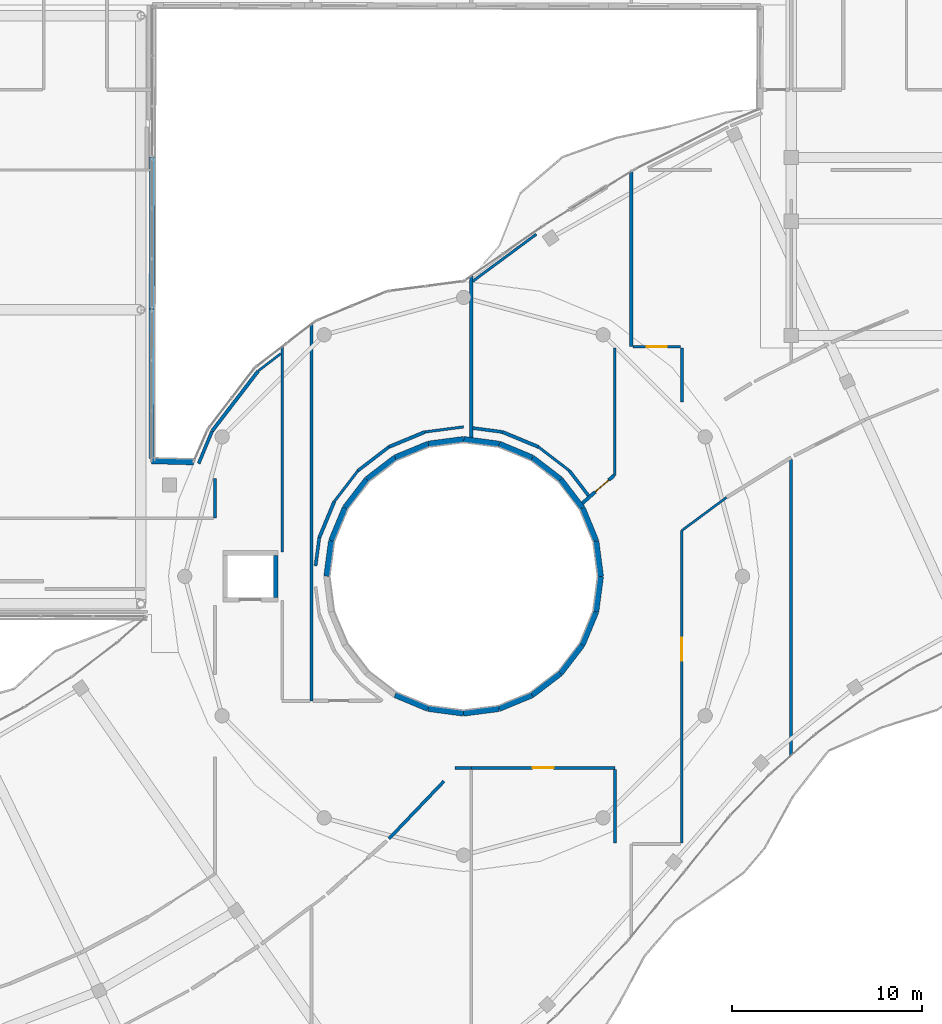
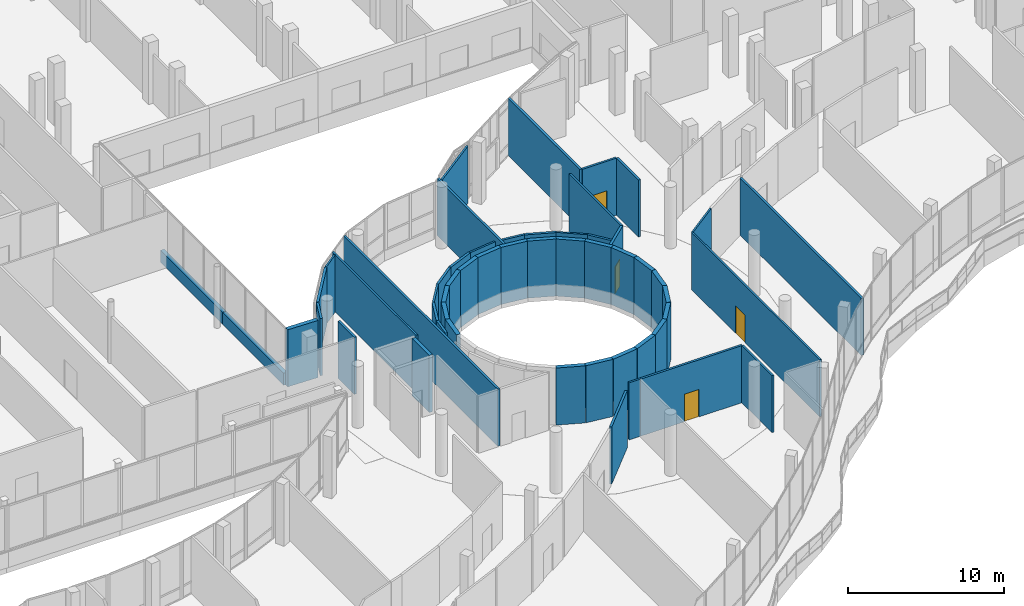
# One storey, part 132 of 155: 54 walls, 4 doors, 4 openings.
"""IFC4 building model written with IfcOpenShell, lengths in metres."""

from ifc_helpers import new_model, si_unit, direction, frame, frame_2d, origin, place, context, subcontext, project, spatial, rectangle, extrude, material, layer, layer_set, type_object, element, fill, save


model = new_model("IFC4")

# Units and contexts
model_context = context("Model", 3, precision=1e-05, world=origin(), true_north=direction((0.0, 1.0)))
body_context = subcontext(model_context, "Body", "Model", "MODEL_VIEW")
ifc_project = project(units=[si_unit("LENGTHUNIT", "METRE"), si_unit("AREAUNIT", "SQUARE_METRE"), si_unit("VOLUMEUNIT", "CUBIC_METRE"), si_unit("PLANEANGLEUNIT", "RADIAN"), si_unit("MASSUNIT", "GRAM", prefix="KILO")], contexts=[model_context])

# Site, building, storey
site_placement = place(None, origin())
site = spatial("IfcSite", under=ifc_project, at=site_placement, CompositionType="ELEMENT")
building_placement = place(site_placement, origin())
building = spatial("IfcBuilding", under=site, at=building_placement, Name="Selatvlak General Hospital", CompositionType="ELEMENT")
storey_placement = place(building_placement, frame((0.0, 0.0, 10.199951171875)))
storey = spatial("IfcBuildingStorey", under=building, at=storey_placement, Name="L02", CompositionType="ELEMENT", Elevation=10.199951171875)

# Walls
ifc_material_1 = material(Name="Precast concrete C40/50 - white fair-faced", Category="concrete")
ifc_layer_1 = layer(ifc_material_1, 0.300048828125, Name="Precast concrete C40/50 - white fair-faced", Category="concrete")
ifc_layer_set_1 = layer_set([ifc_layer_1], Name="Precast concrete C40/50 - white fair-faced")
wall_type_1 = type_object("IfcWallType", Name="WALL-EW-01", PredefinedType="SOLIDWALL", material=ifc_layer_set_1)
wall_1_placement = place(storey_placement, frame((81.60009765625, 60.06005859375, 0.0), z_axis=(0.0, 0.0, 1.0), x_axis=(0.999631579517, -0.027142314411, 0.0)))
element("IfcWall", 1, at=wall_1_placement, inside=storey, type_object=wall_type_1, Name="L02 exterior wall 0324", PredefinedType="SOLIDWALL", context=body_context, shape_type="SweptSolid", body=[
    extrude(rectangle(XDim=2.212646484375, YDim=0.300048828125, at=frame_2d((1.1064453125, 0.0))), origin(), (0.0, 0.0, 1.0), 4.4599609375),
])
wall_2_placement = place(storey_placement, frame((101.60595703125, 60.22998046875, 0.0), z_axis=(0.0, 0.0, 1.0), x_axis=(-0.923330302292, 0.384006709406, 0.0)))
element("IfcWall", 2, at=wall_2_placement, inside=storey, type_object=wall_type_1, Name="L02 exterior wall 0334", PredefinedType="SOLIDWALL", context=body_context, shape_type="SweptSolid", body=[
    extrude(rectangle(XDim=1.8798828125, YDim=0.300048828125, at=frame_2d((0.93994140625, 0.0))), origin(), (0.0, 0.0, 1.0), 4.4599609375),
])
wall_3_placement = place(storey_placement, frame((99.8701171875, 60.951904296875, 0.0), z_axis=(0.0, 0.0, 1.0), x_axis=(-0.991311701137, 0.131533688416, 0.0)))
element("IfcWall", 3, at=wall_3_placement, inside=storey, type_object=wall_type_1, Name="L02 exterior wall 0335", PredefinedType="SOLIDWALL", context=body_context, shape_type="SweptSolid", body=[
    extrude(rectangle(XDim=1.87841796875, YDim=0.300048828125, at=frame_2d((0.939208984375, 0.0))), origin(), (0.0, 0.0, 1.0), 4.4599609375),
])
wall_4_placement = place(storey_placement, frame((98.008056640625, 61.198974609375, 0.0), z_axis=(0.0, 0.0, 1.0), x_axis=(-0.991606206969, -0.129294741965, 0.0)))
element("IfcWall", 4, at=wall_4_placement, inside=storey, type_object=wall_type_1, Name="L02 exterior wall 0336", PredefinedType="SOLIDWALL", context=body_context, shape_type="SweptSolid", body=[
    extrude(rectangle(XDim=1.87890625, YDim=0.300048828125, at=frame_2d((0.939453125, 0.0))), origin(), (0.0, 0.0, 1.0), 4.4599609375),
])
wall_5_placement = place(storey_placement, frame((96.14501953125, 60.9560546875, 0.0), z_axis=(0.0, 0.0, 1.0), x_axis=(-0.924236528401, -0.381820428435, 0.0)))
element("IfcWall", 5, at=wall_5_placement, inside=storey, type_object=wall_type_1, Name="L02 exterior wall 0337", PredefinedType="SOLIDWALL", context=body_context, shape_type="SweptSolid", body=[
    extrude(rectangle(XDim=1.880615234375, YDim=0.300048828125, at=frame_2d((0.9404296875, 0.0))), origin(), (0.0, 0.0, 1.0), 4.4599609375),
])
wall_6_placement = place(storey_placement, frame((94.406982421875, 60.238037109375, 0.0), z_axis=(0.0, 0.0, 1.0), x_axis=(-0.79405161161, -0.607850341861, 0.0)))
element("IfcWall", 6, at=wall_6_placement, inside=storey, type_object=wall_type_1, Name="L02 exterior wall 0338", PredefinedType="SOLIDWALL", context=body_context, shape_type="SweptSolid", body=[
    extrude(rectangle(XDim=1.87890625, YDim=0.300048828125, at=frame_2d((0.939453125, 0.0))), origin(), (0.0, 0.0, 1.0), 4.4599609375),
])
wall_7_placement = place(storey_placement, frame((92.9150390625, 59.095947265625, 0.0), z_axis=(0.0, 0.0, 1.0), x_axis=(-0.609333966613, -0.792913688324, 0.0)))
element("IfcWall", 7, at=wall_7_placement, inside=storey, type_object=wall_type_1, Name="L02 exterior wall 0339", PredefinedType="SOLIDWALL", context=body_context, shape_type="SweptSolid", body=[
    extrude(rectangle(XDim=1.879150390625, YDim=0.300048828125, at=frame_2d((0.939453125, 0.0))), origin(), (0.0, 0.0, 1.0), 4.4599609375),
])
wall_8_placement = place(storey_placement, frame((91.77001953125, 57.60595703125, 0.0), z_axis=(0.0, 0.0, 1.0), x_axis=(-0.384006709406, -0.923330302292, 0.0)))
element("IfcWall", 8, at=wall_8_placement, inside=storey, type_object=wall_type_1, Name="L02 exterior wall 0340", PredefinedType="SOLIDWALL", context=body_context, shape_type="SweptSolid", body=[
    extrude(rectangle(XDim=1.8798828125, YDim=0.300048828125, at=frame_2d((0.93994140625, 0.0))), origin(), (0.0, 0.0, 1.0), 4.4599609375),
])
wall_9_placement = place(storey_placement, frame((91.048095703125, 55.8701171875, 0.0), z_axis=(0.0, 0.0, 1.0), x_axis=(-0.131533688416, -0.991311701137, 0.0)))
element("IfcWall", 9, at=wall_9_placement, inside=storey, type_object=wall_type_1, Name="L02 exterior wall 0341", PredefinedType="SOLIDWALL", context=body_context, shape_type="SweptSolid", body=[
    extrude(rectangle(XDim=1.87841796875, YDim=0.300048828125, at=frame_2d((0.939208984375, 0.0))), origin(), (0.0, 0.0, 1.0), 4.4599609375),
])
wall_10_placement = place(storey_placement, frame((94.39404296875, 47.77001953125, 0.0), z_axis=(0.0, 0.0, 1.0), x_axis=(0.923330302292, -0.384006709406, 0.0)))
element("IfcWall", 10, at=wall_10_placement, inside=storey, type_object=wall_type_1, Name="L02 exterior wall 0346", PredefinedType="SOLIDWALL", context=body_context, shape_type="SweptSolid", body=[
    extrude(rectangle(XDim=1.8798828125, YDim=0.300048828125, at=frame_2d((0.93994140625, 0.0))), origin(), (0.0, 0.0, 1.0), 4.4599609375),
])
wall_11_placement = place(storey_placement, frame((96.1298828125, 47.048095703125, 0.0), z_axis=(0.0, 0.0, 1.0), x_axis=(0.991311701137, -0.131533688416, 0.0)))
element("IfcWall", 11, at=wall_11_placement, inside=storey, type_object=wall_type_1, Name="L02 exterior wall 0347", PredefinedType="SOLIDWALL", context=body_context, shape_type="SweptSolid", body=[
    extrude(rectangle(XDim=1.87841796875, YDim=0.300048828125, at=frame_2d((0.939208984375, 0.0))), origin(), (0.0, 0.0, 1.0), 4.4599609375),
])
wall_12_placement = place(storey_placement, frame((97.991943359375, 46.801025390625, 0.0), z_axis=(0.0, 0.0, 1.0), x_axis=(0.991606206969, 0.129294741965, 0.0)))
element("IfcWall", 12, at=wall_12_placement, inside=storey, type_object=wall_type_1, Name="L02 exterior wall 0348", PredefinedType="SOLIDWALL", context=body_context, shape_type="SweptSolid", body=[
    extrude(rectangle(XDim=1.87890625, YDim=0.300048828125, at=frame_2d((0.939453125, 0.0))), origin(), (0.0, 0.0, 1.0), 4.4599609375),
])
wall_13_placement = place(storey_placement, frame((99.85498046875, 47.0439453125, 0.0), z_axis=(0.0, 0.0, 1.0), x_axis=(0.924236528401, 0.381820428435, 0.0)))
element("IfcWall", 13, at=wall_13_placement, inside=storey, type_object=wall_type_1, Name="L02 exterior wall 0349", PredefinedType="SOLIDWALL", context=body_context, shape_type="SweptSolid", body=[
    extrude(rectangle(XDim=1.880615234375, YDim=0.300048828125, at=frame_2d((0.9404296875, 0.0))), origin(), (0.0, 0.0, 1.0), 4.4599609375),
])
wall_14_placement = place(storey_placement, frame((101.593017578125, 47.761962890625, 0.0), z_axis=(0.0, 0.0, 1.0), x_axis=(0.79405161161, 0.607850341861, 0.0)))
element("IfcWall", 14, at=wall_14_placement, inside=storey, type_object=wall_type_1, Name="L02 exterior wall 0350", PredefinedType="SOLIDWALL", context=body_context, shape_type="SweptSolid", body=[
    extrude(rectangle(XDim=1.87890625, YDim=0.300048828125, at=frame_2d((0.939453125, 0.0))), origin(), (0.0, 0.0, 1.0), 4.4599609375),
])
wall_15_placement = place(storey_placement, frame((103.0849609375, 48.904052734375, 0.0), z_axis=(0.0, 0.0, 1.0), x_axis=(0.609333966613, 0.792913688324, 0.0)))
element("IfcWall", 15, at=wall_15_placement, inside=storey, type_object=wall_type_1, Name="L02 exterior wall 0351", PredefinedType="SOLIDWALL", context=body_context, shape_type="SweptSolid", body=[
    extrude(rectangle(XDim=1.879150390625, YDim=0.300048828125, at=frame_2d((0.939453125, 0.0))), origin(), (0.0, 0.0, 1.0), 4.4599609375),
])
wall_16_placement = place(storey_placement, frame((104.22998046875, 50.39404296875, 0.0), z_axis=(0.0, 0.0, 1.0), x_axis=(0.384006709406, 0.923330302292, 0.0)))
element("IfcWall", 16, at=wall_16_placement, inside=storey, type_object=wall_type_1, Name="L02 exterior wall 0352", PredefinedType="SOLIDWALL", context=body_context, shape_type="SweptSolid", body=[
    extrude(rectangle(XDim=1.8798828125, YDim=0.300048828125, at=frame_2d((0.93994140625, 0.0))), origin(), (0.0, 0.0, 1.0), 4.4599609375),
])
wall_17_placement = place(storey_placement, frame((104.951904296875, 52.1298828125, 0.0), z_axis=(0.0, 0.0, 1.0), x_axis=(0.131533688416, 0.991311701137, 0.0)))
element("IfcWall", 17, at=wall_17_placement, inside=storey, type_object=wall_type_1, Name="L02 exterior wall 0353", PredefinedType="SOLIDWALL", context=body_context, shape_type="SweptSolid", body=[
    extrude(rectangle(XDim=1.87841796875, YDim=0.300048828125, at=frame_2d((0.939208984375, 0.0))), origin(), (0.0, 0.0, 1.0), 4.4599609375),
])
wall_18_placement = place(storey_placement, frame((105.198974609375, 53.991943359375, 0.0), z_axis=(0.0, 0.0, 1.0), x_axis=(-0.129294741965, 0.991606206969, 0.0)))
element("IfcWall", 18, at=wall_18_placement, inside=storey, type_object=wall_type_1, Name="L02 exterior wall 0354", PredefinedType="SOLIDWALL", context=body_context, shape_type="SweptSolid", body=[
    extrude(rectangle(XDim=1.87890625, YDim=0.300048828125, at=frame_2d((0.939453125, 0.0))), origin(), (0.0, 0.0, 1.0), 4.4599609375),
])
wall_19_placement = place(storey_placement, frame((104.9560546875, 55.85498046875, 0.0), z_axis=(0.0, 0.0, 1.0), x_axis=(-0.381820428435, 0.924236528401, 0.0)))
element("IfcWall", 19, at=wall_19_placement, inside=storey, type_object=wall_type_1, Name="L02 exterior wall 0355", PredefinedType="SOLIDWALL", context=body_context, shape_type="SweptSolid", body=[
    extrude(rectangle(XDim=1.880615234375, YDim=0.300048828125, at=frame_2d((0.9404296875, 0.0))), origin(), (0.0, 0.0, 1.0), 4.4599609375),
])
wall_20_placement = place(storey_placement, frame((104.238037109375, 57.593017578125, 0.0), z_axis=(0.0, 0.0, 1.0), x_axis=(-0.607850341861, 0.79405161161, 0.0)))
element("IfcWall", 20, at=wall_20_placement, inside=storey, type_object=wall_type_1, Name="L02 exterior wall 0356", PredefinedType="SOLIDWALL", context=body_context, shape_type="SweptSolid", body=[
    extrude(rectangle(XDim=1.87890625, YDim=0.300048828125, at=frame_2d((0.939453125, 0.0))), origin(), (0.0, 0.0, 1.0), 4.4599609375),
])
wall_21_placement = place(storey_placement, frame((103.095947265625, 59.0849609375, 0.0), z_axis=(0.0, 0.0, 1.0), x_axis=(-0.792913688324, 0.609333966613, 0.0)))
element("IfcWall", 21, at=wall_21_placement, inside=storey, type_object=wall_type_1, Name="L02 exterior wall 0357", PredefinedType="SOLIDWALL", context=body_context, shape_type="SweptSolid", body=[
    extrude(rectangle(XDim=1.879150390625, YDim=0.300048828125, at=frame_2d((0.939453125, 0.0))), origin(), (0.0, 0.0, 1.0), 4.4599609375),
])
ifc_material_2 = material(Name="Precast concrete C40/50 - white Bauhaus spandrel", Category="concrete")
ifc_layer_2 = layer(ifc_material_2, 0.280029296875, Name="Precast concrete C40/50 - white Bauhaus spandrel", Category="concrete")
ifc_layer_set_2 = layer_set([ifc_layer_2], Name="Precast concrete C40/50 - white Bauhaus spandrel")
wall_type_2 = type_object("IfcWallType", Name="WALL-EW-02", PredefinedType="SOLIDWALL", material=ifc_layer_set_2)
wall_22_placement = place(storey_placement, frame((81.639892578125, 76.01806640625, 0.0), z_axis=(0.0, 0.0, 1.0), x_axis=(-0.002479331223, -0.999996926454, 0.0)))
element("IfcWall", 22, at=wall_22_placement, inside=storey, type_object=wall_type_2, Name="L02 Bauhaus spandrel sill wall 0332", PredefinedType="SOLIDWALL", context=body_context, shape_type="SweptSolid", body=[
    extrude(rectangle(XDim=7.97607421875, YDim=0.280029296875, at=frame_2d((3.988037109375, 0.0))), origin(), (0.0, 0.0, 1.0), 0.93994140625),
])
wall_23_placement = place(storey_placement, frame((81.6201171875, 68.0380859375, 0.0), z_axis=(0.0, 0.0, 1.0), x_axis=(-0.002554110965, -0.999996738253, 0.0)))
element("IfcWall", 23, at=wall_23_placement, inside=storey, type_object=wall_type_2, Name="L02 Bauhaus spandrel sill wall 0333", PredefinedType="SOLIDWALL", context=body_context, shape_type="SweptSolid", body=[
    extrude(rectangle(XDim=7.838134765625, YDim=0.280029296875, at=frame_2d((3.9189453125, 0.0))), origin(), (0.0, 0.0, 1.0), 0.93994140625),
])
ifc_material_3 = material(Name="Acoustic gypsum stud partition")
ifc_layer_3 = layer(ifc_material_3, 0.179931640625, Name="Acoustic gypsum stud partition")
ifc_layer_set_3 = layer_set([ifc_layer_3], Name="Acoustic gypsum stud partition")
wall_type_3 = type_object("IfcWallType", Name="WALL-PT-01", PredefinedType="PARTITIONING", material=ifc_layer_set_3)
wall_24_placement = place(storey_placement, frame((87.2060546875, 64.781982421875, 0.0), z_axis=(0.0, 0.0, 1.0), x_axis=(-0.608806174349, -0.793319003979, 0.0)))
element("IfcWall", 24, at=wall_24_placement, inside=storey, type_object=wall_type_3, Name="L02 clinical partition PT-L02-1140", PredefinedType="PARTITIONING", context=body_context, shape_type="SweptSolid", body=[
    extrude(rectangle(XDim=3.966796875, YDim=0.179931640625, at=frame_2d((1.9833984375, 0.0))), origin(), (0.0, 0.0, 1.0), 4.4599609375),
])
for number, where, z_axis, x_axis, name in (
    (25, (95.968017578125, 61.5830078125, 0.0), (0.0, 0.0, 1.0), (-0.923745197655, -0.383007584532, 0.0), "L02 clinical partition PT-L02-1155"),
    (26, (91.201904296875, 57.925048828125, 0.0), (0.0, 0.0, 1.0), (-0.383007584532, -0.923745197655, 0.0), "L02 clinical partition PT-L02-1158"),
):
    element("IfcWall", number, at=place(storey_placement, frame(where, z_axis=z_axis, x_axis=x_axis)), inside=storey, type_object=wall_type_3, Name=name, PredefinedType="PARTITIONING", context=body_context, shape_type="SweptSolid", body=[
        extrude(rectangle(XDim=2.04931640625, YDim=0.179931640625, at=frame_2d((1.024658203125, 0.0))), origin(), (0.0, 0.0, 1.0), 4.4599609375),
    ])

# Wall, opening, door
wall_25_placement = place(storey_placement, frame((105.89794921875, 59.300048828125, 0.0), z_axis=(0.0, 0.0, 1.0), x_axis=(-0.751701560076, -0.65950342272, 0.0)))
wall_25 = element("IfcWall", 27, at=wall_25_placement, inside=storey, type_object=wall_type_3, Name="L02 clinical partition PT-L02-1170", PredefinedType="PARTITIONING", context=body_context, shape_type="SweptSolid", body=[
    extrude(rectangle(XDim=2.213623046875, YDim=0.179931640625, at=frame_2d((1.10693359375, 0.0))), origin(), (0.0, 0.0, 1.0), 4.4599609375),
])
opening_1_placement = place(wall_25_placement, frame((0.365966796875, 0.0, 0.0)))
opening_1 = element("IfcOpeningElement", 28, at=opening_1_placement, cuts=wall_25, Name="Opening D-02", PredefinedType="OPENING", context=body_context, shape_type="SweptSolid", body=[
    extrude(rectangle(XDim=0.949951171875, YDim=2.10009765625, at=frame_2d((0.47509765625, 1.050048828125))), frame((0.0, 0.099853515625, 0.0), z_axis=(0.0, -1.0, 0.0), x_axis=(1.0, 0.0, 0.0)), (0.0, 0.0, 1.0), 0.199951171875),
])
ifc_material_4 = material(Name="Moisture-resistant en-suite door")
door_type_1 = type_object("IfcDoorType", Name="DOOR-D-02", OperationType="NOTDEFINED", PredefinedType="DOOR", material=ifc_material_4)
door_1_placement = place(opening_1_placement, origin())
door_1 = element("IfcDoor", 29, at=door_1_placement, inside=storey, type_object=door_type_1, Name="L02 Operating Theatre 25 door", OperationType="SINGLE_SWING_LEFT", OverallHeight=2.10009765625, OverallWidth=0.949951171875, PredefinedType="DOOR", context=body_context, shape_type="SweptSolid", body=[
    extrude(rectangle(XDim=0.949951171875, YDim=2.10009765625, at=frame_2d((0.47509765625, 1.050048828125))), frame((0.0, 0.02490234375, 0.0), z_axis=(0.0, -1.0, 0.0), x_axis=(1.0, 0.0, 0.0)), (0.0, 0.0, 1.0), 0.050048828125),
])
fill(opening_1, door_1)

# Walls
wall_26_placement = place(storey_placement, frame((101.925048828125, 60.798095703125, 0.0), z_axis=(0.0, 0.0, 1.0), x_axis=(-0.923745197655, 0.383007584532, 0.0)))
element("IfcWall", 30, at=wall_26_placement, inside=storey, type_object=wall_type_3, Name="L02 clinical partition PT-L02-1173", PredefinedType="PARTITIONING", context=body_context, shape_type="SweptSolid", body=[
    extrude(rectangle(XDim=2.04931640625, YDim=0.179931640625, at=frame_2d((1.024658203125, 0.0))), origin(), (0.0, 0.0, 1.0), 4.4599609375),
])
wall_27_placement = place(storey_placement, frame((106.800048828125, 75.2509765625, 0.0), z_axis=(0.0, 0.0, 1.0), x_axis=(0.0, -1.0, 0.0)))
element("IfcWall", 31, at=wall_27_placement, inside=storey, type_object=wall_type_3, Name="L02 clinical partition PT-L02-1176", PredefinedType="PARTITIONING", context=body_context, shape_type="SweptSolid", body=[
    extrude(rectangle(XDim=9.19091796875, YDim=0.179931640625, at=frame_2d((4.595458984375, 0.0))), origin(), (0.0, 0.0, 1.0), 4.4599609375),
])
ifc_layer_4 = layer(ifc_material_3, 0.1650390625, Name="Acoustic gypsum stud partition")
ifc_layer_set_4 = layer_set([ifc_layer_4], Name="Acoustic gypsum stud partition")
wall_type_4 = type_object("IfcWallType", Name="WALL-PT-02", PredefinedType="PARTITIONING", material=ifc_layer_set_4)
wall_28_placement = place(storey_placement, frame((84.782958984375, 61.62109375, 0.0), z_axis=(0.0, 0.0, 1.0), x_axis=(-0.382660915668, -0.923888858911, 0.0)))
element("IfcWall", 32, at=wall_28_placement, inside=storey, type_object=wall_type_4, Name="L02 clinical partition PT-L02-1141", PredefinedType="PARTITIONING", context=body_context, shape_type="SweptSolid", body=[
    extrude(rectangle(XDim=1.8369140625, YDim=0.1650390625, at=frame_2d((0.91845703125, 0.0))), origin(), (0.0, 0.0, 1.0), 4.4599609375),
])
wall_29_placement = place(storey_placement, frame((90.0, 67.217041015625, 0.0), z_axis=(0.0, 0.0, 1.0), x_axis=(0.0, -1.0, 0.0)))
element("IfcWall", 33, at=wall_29_placement, inside=storey, type_object=wall_type_4, Name="L02 clinical partition PT-L02-1146", PredefinedType="PARTITIONING", context=body_context, shape_type="SweptSolid", body=[
    extrude(rectangle(XDim=19.757080078125, YDim=0.1650390625, at=frame_2d((9.87841796875, 0.0))), origin(), (0.0, 0.0, 1.0), 4.4599609375),
])
wall_30_placement = place(storey_placement, frame((94.0791015625, 40.218994140625, 0.0), z_axis=(0.0, 0.0, 1.0), x_axis=(0.690956969987, 0.722895888511, 0.0)))
element("IfcWall", 34, at=wall_30_placement, inside=storey, type_object=wall_type_4, Name="L02 clinical partition PT-L02-1151", PredefinedType="PARTITIONING", context=body_context, shape_type="SweptSolid", body=[
    extrude(rectangle(XDim=4.173583984375, YDim=0.1650390625, at=frame_2d((2.0869140625, 0.0))), origin(), (0.0, 0.0, 1.0), 4.4599609375),
])
wall_31_placement = place(storey_placement, frame((94.074951171875, 60.798095703125, 0.0), z_axis=(0.0, 0.0, 1.0), x_axis=(-0.793491289639, -0.608581607729, 0.0)))
element("IfcWall", 35, at=wall_31_placement, inside=storey, type_object=wall_type_4, Name="L02 clinical partition PT-L02-1156", PredefinedType="PARTITIONING", context=body_context, shape_type="SweptSolid", body=[
    extrude(rectangle(XDim=2.049072265625, YDim=0.1650390625, at=frame_2d((1.0244140625, 0.0))), origin(), (0.0, 0.0, 1.0), 4.4599609375),
])
wall_32_placement = place(storey_placement, frame((90.4169921875, 56.031982421875, 0.0), z_axis=(0.0, 0.0, 1.0), x_axis=(-0.130674502542, -0.991425324664, 0.0)))
element("IfcWall", 36, at=wall_32_placement, inside=storey, type_object=wall_type_4, Name="L02 clinical partition PT-L02-1159", PredefinedType="PARTITIONING", context=body_context, shape_type="SweptSolid", body=[
    extrude(rectangle(XDim=1.49267578125, YDim=0.1650390625, at=frame_2d((0.746337890625, 0.0))), origin(), (0.0, 0.0, 1.0), 4.4599609375),
])
wall_33_placement = place(storey_placement, frame((98.39990234375, 69.76611328125, 0.0), z_axis=(0.0, 0.0, 1.0), x_axis=(0.0, -1.0, 0.0)))
element("IfcWall", 37, at=wall_33_placement, inside=storey, type_object=wall_type_4, Name="L02 clinical partition PT-L02-1165", PredefinedType="PARTITIONING", context=body_context, shape_type="SweptSolid", body=[
    extrude(rectangle(XDim=8.47119140625, YDim=0.1650390625, at=frame_2d((4.235595703125, 0.0))), origin(), (0.0, 0.0, 1.0), 4.4599609375),
])

# Wall, opening, door
wall_34_placement = place(storey_placement, frame((98.39990234375, 43.93994140625, 0.0), z_axis=(0.0, 0.0, 1.0), x_axis=(1.0, 0.0, 0.0)))
wall_34 = element("IfcWall", 38, at=wall_34_placement, inside=storey, type_object=wall_type_4, Name="L02 clinical partition PT-L02-1166", PredefinedType="PARTITIONING", context=body_context, shape_type="SweptSolid", body=[
    extrude(rectangle(XDim=7.5400390625, YDim=0.1650390625, at=frame_2d((3.77001953125, 0.0))), origin(), (0.0, 0.0, 1.0), 4.4599609375),
])
opening_2_placement = place(wall_34_placement, frame((3.219970703125, 0.0, 0.0)))
opening_2 = element("IfcOpeningElement", 39, at=opening_2_placement, cuts=wall_34, Name="Opening D-22", PredefinedType="OPENING", context=body_context, shape_type="SweptSolid", body=[
    extrude(rectangle(XDim=1.10009765625, YDim=2.14990234375, at=frame_2d((0.550048828125, 1.074951171875))), frame((0.0, 0.092529296875, 0.0), z_axis=(0.0, -1.0, 0.0), x_axis=(1.0, 0.0, 0.0)), (0.0, 0.0, 1.0), 0.18505859375),
])
ifc_material_5 = material(Name="Pharmacy security fire door")
door_type_2 = type_object("IfcDoorType", Name="DOOR-D-22", OperationType="NOTDEFINED", PredefinedType="DOOR", material=ifc_material_5)
door_2_placement = place(opening_2_placement, origin())
door_2 = element("IfcDoor", 40, at=door_2_placement, inside=storey, type_object=door_type_2, Name="L02 Sports Medicine Clinic 24 door", OperationType="SINGLE_SWING_RIGHT", OverallHeight=2.14990234375, OverallWidth=1.10009765625, PredefinedType="DOOR", context=body_context, shape_type="SweptSolid", body=[
    extrude(rectangle(XDim=1.10009765625, YDim=2.14990234375, at=frame_2d((0.550048828125, 1.074951171875))), frame((0.0, 0.02490234375, 0.0), z_axis=(0.0, -1.0, 0.0), x_axis=(1.0, 0.0, 0.0)), (0.0, 0.0, 1.0), 0.050048828125),
])
fill(opening_2, door_2)

# Walls
wall_35_placement = place(storey_placement, frame((104.55810546875, 58.238037109375, 0.0), z_axis=(0.0, 0.0, 1.0), x_axis=(-0.608604984836, 0.793473359624, 0.0)))
element("IfcWall", 41, at=wall_35_placement, inside=storey, type_object=wall_type_4, Name="L02 clinical partition PT-L02-1171", PredefinedType="PARTITIONING", context=body_context, shape_type="SweptSolid", body=[
    extrude(rectangle(XDim=1.65478515625, YDim=0.1650390625, at=frame_2d((0.827392578125, 0.0))), origin(), (0.0, 0.0, 1.0), 4.4599609375),
])
wall_36_placement = place(storey_placement, frame((100.031982421875, 61.5830078125, 0.0), z_axis=(0.0, 0.0, 1.0), x_axis=(-0.991473913665, 0.130305328065, 0.0)))
element("IfcWall", 42, at=wall_36_placement, inside=storey, type_object=wall_type_4, Name="L02 clinical partition PT-L02-1174", PredefinedType="PARTITIONING", context=body_context, shape_type="SweptSolid", body=[
    extrude(rectangle(XDim=1.56640625, YDim=0.1650390625, at=frame_2d((0.783203125, 0.0))), origin(), (0.0, 0.0, 1.0), 4.4599609375),
])
wall_37_placement = place(storey_placement, frame((115.199951171875, 60.137939453125, 0.0), z_axis=(0.0, 0.0, 1.0), x_axis=(0.0, -1.0, 0.0)))
element("IfcWall", 43, at=wall_37_placement, inside=storey, type_object=wall_type_4, Name="L02 clinical partition PT-L02-1181", PredefinedType="PARTITIONING", context=body_context, shape_type="SweptSolid", body=[
    extrude(rectangle(XDim=15.537841796875, YDim=0.1650390625, at=frame_2d((7.76904296875, 0.0))), origin(), (0.0, 0.0, 1.0), 4.4599609375),
])
wall_38_placement = place(storey_placement, frame((109.4599609375, 63.1630859375, 0.0), z_axis=(0.0, 0.0, 1.0), x_axis=(0.0, 1.0, 0.0)))
element("IfcWall", 44, at=wall_38_placement, inside=storey, type_object=wall_type_4, Name="L02 clinical partition PT-L02-1186", PredefinedType="PARTITIONING", context=body_context, shape_type="SweptSolid", body=[
    extrude(rectangle(XDim=2.8369140625, YDim=0.1650390625, at=frame_2d((1.41845703125, 0.0))), origin(), (0.0, 0.0, 1.0), 4.4599609375),
])
ifc_layer_5 = layer(ifc_material_3, 0.14990234375, Name="Acoustic gypsum stud partition")
ifc_layer_set_5 = layer_set([ifc_layer_5], Name="Acoustic gypsum stud partition")
wall_type_5 = type_object("IfcWallType", Name="WALL-PT-03", PredefinedType="PARTITIONING", material=ifc_layer_set_5)
wall_39_placement = place(storey_placement, frame((84.93994140625, 59.14892578125, 0.0), z_axis=(0.0, 0.0, 1.0), x_axis=(0.0, -1.0, 0.0)))
element("IfcWall", 45, at=wall_39_placement, inside=storey, type_object=wall_type_5, Name="L02 clinical partition PT-L02-1142", PredefinedType="PARTITIONING", context=body_context, shape_type="SweptSolid", body=[
    extrude(rectangle(XDim=2.0888671875, YDim=0.14990234375, at=frame_2d((1.04443359375, 0.0))), origin(), (0.0, 0.0, 1.0), 4.4599609375),
])
wall_40_placement = place(storey_placement, frame((97.544921875, 43.93994140625, 0.0), z_axis=(0.0, 0.0, 1.0), x_axis=(1.0, 0.0, 0.0)))
element("IfcWall", 46, at=wall_40_placement, inside=storey, type_object=wall_type_5, Name="L02 clinical partition PT-L02-1152", PredefinedType="PARTITIONING", context=body_context, shape_type="SweptSolid", body=[
    extrude(rectangle(XDim=0.85498046875, YDim=0.14990234375, at=frame_2d((0.427490234375, 0.0))), origin(), (0.0, 0.0, 1.0), 4.4599609375),
])
wall_41_placement = place(storey_placement, frame((105.93994140625, 43.861083984375, 0.0), z_axis=(0.0, 0.0, 1.0), x_axis=(0.0, -1.0, 0.0)))
element("IfcWall", 47, at=wall_41_placement, inside=storey, type_object=wall_type_5, Name="L02 clinical partition PT-L02-1167", PredefinedType="PARTITIONING", context=body_context, shape_type="SweptSolid", body=[
    extrude(rectangle(XDim=3.861083984375, YDim=0.14990234375, at=frame_2d((1.9306640625, 0.0))), origin(), (0.0, 0.0, 1.0), 4.4599609375),
])

# Wall, opening, door
wall_42_placement = place(storey_placement, frame((109.39990234375, 66.06005859375, 0.0), z_axis=(0.0, 0.0, 1.0), x_axis=(-1.0, 0.0, 0.0)))
wall_42 = element("IfcWall", 48, at=wall_42_placement, inside=storey, type_object=wall_type_5, Name="L02 clinical partition PT-L02-1187", PredefinedType="PARTITIONING", context=body_context, shape_type="SweptSolid", body=[
    extrude(rectangle(XDim=2.513916015625, YDim=0.14990234375, at=frame_2d((1.2568359375, 0.0))), origin(), (0.0, 0.0, 1.0), 4.4599609375),
])
opening_3_placement = place(wall_42_placement, frame((0.73193359375, 0.0, 0.0)))
opening_3 = element("IfcOpeningElement", 49, at=opening_3_placement, cuts=wall_42, Name="Opening D-04", PredefinedType="OPENING", context=body_context, shape_type="SweptSolid", body=[
    extrude(rectangle(XDim=1.050048828125, YDim=2.14990234375, at=frame_2d((0.52490234375, 1.074951171875))), frame((0.0, 0.0849609375, 0.0), z_axis=(0.0, -1.0, 0.0), x_axis=(1.0, 0.0, 0.0)), (0.0, 0.0, 1.0), 0.169921875),
])
ifc_material_6 = material(Name="Consultation room door")
door_type_3 = type_object("IfcDoorType", Name="DOOR-D-04", OperationType="NOTDEFINED", PredefinedType="DOOR", material=ifc_material_6)
door_3_placement = place(opening_3_placement, origin())
door_3 = element("IfcDoor", 50, at=door_3_placement, inside=storey, type_object=door_type_3, Name="L02 Post-Anaesthesia Recovery Suite 27 door", OperationType="SINGLE_SWING_LEFT", OverallHeight=2.14990234375, OverallWidth=1.050048828125, PredefinedType="DOOR", context=body_context, shape_type="SweptSolid", body=[
    extrude(rectangle(XDim=1.050048828125, YDim=2.14990234375, at=frame_2d((0.52490234375, 1.074951171875))), frame((0.0, 0.02490234375, 0.0), z_axis=(0.0, -1.0, 0.0), x_axis=(1.0, 0.0, 0.0)), (0.0, 0.0, 1.0), 0.050048828125),
])
fill(opening_3, door_3)

# Walls
ifc_material_7 = material(Name="Moisture-resistant clinical partition")
ifc_layer_6 = layer(ifc_material_7, 0.135009765625, Name="Moisture-resistant clinical partition")
ifc_layer_set_6 = layer_set([ifc_layer_6], Name="Moisture-resistant clinical partition")
wall_type_6 = type_object("IfcWallType", Name="WALL-PT-04", PredefinedType="PARTITIONING", material=ifc_layer_set_6)
wall_43_placement = place(storey_placement, frame((88.4599609375, 55.280029296875, 0.0), z_axis=(0.0, 0.0, 1.0), x_axis=(0.0, 1.0, 0.0)))
element("IfcWall", 51, at=wall_43_placement, inside=storey, type_object=wall_type_6, Name="L02 clinical partition PT-L02-1138", PredefinedType="PARTITIONING", context=body_context, shape_type="SweptSolid", body=[
    extrude(rectangle(XDim=10.7548828125, YDim=0.135009765625, at=frame_2d((5.37744140625, 0.0))), origin(), (0.0, 0.0, 1.0), 4.4599609375),
])
wall_44_placement = place(storey_placement, frame((98.0, 61.85009765625, 0.0), z_axis=(0.0, 0.0, 1.0), x_axis=(-0.991471721493, -0.130322006886, 0.0)))
element("IfcWall", 52, at=wall_44_placement, inside=storey, type_object=wall_type_6, Name="L02 clinical partition PT-L02-1154", PredefinedType="PARTITIONING", context=body_context, shape_type="SweptSolid", body=[
    extrude(rectangle(XDim=2.049560546875, YDim=0.135009765625, at=frame_2d((1.02490234375, 0.0))), origin(), (0.0, 0.0, 1.0), 4.4599609375),
])
wall_45_placement = place(storey_placement, frame((92.448974609375, 59.551025390625, 0.0), z_axis=(0.0, 0.0, 1.0), x_axis=(-0.608581607729, -0.793491289639, 0.0)))
element("IfcWall", 53, at=wall_45_placement, inside=storey, type_object=wall_type_6, Name="L02 clinical partition PT-L02-1157", PredefinedType="PARTITIONING", context=body_context, shape_type="SweptSolid", body=[
    extrude(rectangle(XDim=2.049072265625, YDim=0.135009765625, at=frame_2d((1.0244140625, 0.0))), origin(), (0.0, 0.0, 1.0), 4.4599609375),
])
wall_46_placement = place(storey_placement, frame((105.93994140625, 66.0, 0.0), z_axis=(0.0, 0.0, 1.0), x_axis=(0.0, -1.0, 0.0)))
element("IfcWall", 54, at=wall_46_placement, inside=storey, type_object=wall_type_6, Name="L02 clinical partition PT-L02-1169", PredefinedType="PARTITIONING", context=body_context, shape_type="SweptSolid", body=[
    extrude(rectangle(XDim=6.699951171875, YDim=0.135009765625, at=frame_2d((3.35009765625, 0.0))), origin(), (0.0, 0.0, 1.0), 4.4599609375),
])
wall_47_placement = place(storey_placement, frame((103.551025390625, 59.551025390625, 0.0), z_axis=(0.0, 0.0, 1.0), x_axis=(-0.793491289639, 0.608581607729, 0.0)))
element("IfcWall", 55, at=wall_47_placement, inside=storey, type_object=wall_type_6, Name="L02 clinical partition PT-L02-1172", PredefinedType="PARTITIONING", context=body_context, shape_type="SweptSolid", body=[
    extrude(rectangle(XDim=2.049072265625, YDim=0.135009765625, at=frame_2d((1.0244140625, 0.0))), origin(), (0.0, 0.0, 1.0), 4.4599609375),
])
wall_48_placement = place(storey_placement, frame((98.47900390625, 69.5, 0.0), z_axis=(0.0, 0.0, 1.0), x_axis=(0.803937569327, 0.594713699711, 0.0)))
element("IfcWall", 56, at=wall_48_placement, inside=storey, type_object=wall_type_6, Name="L02 clinical partition PT-L02-1175", PredefinedType="PARTITIONING", context=body_context, shape_type="SweptSolid", body=[
    extrude(rectangle(XDim=4.148193359375, YDim=0.135009765625, at=frame_2d((2.07421875, 0.0))), origin(), (0.0, 0.0, 1.0), 4.4599609375),
])

# Wall, opening, door
wall_49_placement = place(storey_placement, frame((109.4599609375, 40.0, 0.0), z_axis=(0.0, 0.0, 1.0), x_axis=(0.0, 1.0, 0.0)))
wall_49 = element("IfcWall", 57, at=wall_49_placement, inside=storey, type_object=wall_type_6, Name="L02 clinical partition PT-L02-1178", PredefinedType="PARTITIONING", context=body_context, shape_type="SweptSolid", body=[
    extrude(rectangle(XDim=16.406005859375, YDim=0.135009765625, at=frame_2d((8.203125, 0.0))), origin(), (0.0, 0.0, 1.0), 4.4599609375),
])
opening_4_placement = place(wall_49_placement, frame((9.572021484375, 0.0, 0.0)))
opening_4 = element("IfcOpeningElement", 58, at=opening_4_placement, cuts=wall_49, Name="Opening D-07", PredefinedType="OPENING", context=body_context, shape_type="SweptSolid", body=[
    extrude(rectangle(XDim=1.199951171875, YDim=2.14990234375, at=frame_2d((0.60009765625, 1.074951171875))), frame((0.0, 0.077392578125, 0.0), z_axis=(0.0, -1.0, 0.0), x_axis=(1.0, 0.0, 0.0)), (0.0, 0.0, 1.0), 0.155029296875),
])
ifc_material_8 = material(Name="Plant and store fire door")
door_type_4 = type_object("IfcDoorType", Name="DOOR-D-07", OperationType="NOTDEFINED", PredefinedType="DOOR", material=ifc_material_8)
door_4_placement = place(opening_4_placement, origin())
door_4 = element("IfcDoor", 59, at=door_4_placement, inside=storey, type_object=door_type_4, Name="L02 Occupational Therapy Suite 26 door", OperationType="SINGLE_SWING_RIGHT", OverallHeight=2.14990234375, OverallWidth=1.199951171875, PredefinedType="DOOR", context=body_context, shape_type="SweptSolid", body=[
    extrude(rectangle(XDim=1.199951171875, YDim=2.14990234375, at=frame_2d((0.60009765625, 1.074951171875))), frame((0.0, 0.02490234375, 0.0), z_axis=(0.0, -1.0, 0.0), x_axis=(1.0, 0.0, 0.0)), (0.0, 0.0, 1.0), 0.050048828125),
])
fill(opening_4, door_4)

# Walls
ifc_layer_7 = layer(ifc_material_7, 0.1201171875, Name="Moisture-resistant clinical partition")
ifc_layer_set_7 = layer_set([ifc_layer_7], Name="Moisture-resistant clinical partition")
wall_type_7 = type_object("IfcWallType", Name="WALL-PT-05", PredefinedType="PARTITIONING", material=ifc_layer_set_7)
wall_50_placement = place(storey_placement, frame((88.39599609375, 65.698974609375, 0.0), z_axis=(0.0, 0.0, 1.0), x_axis=(-0.792910789571, -0.609337738682, 0.0)))
element("IfcWall", 60, at=wall_50_placement, inside=storey, type_object=wall_type_7, Name="L02 clinical partition PT-L02-1139", PredefinedType="PARTITIONING", context=body_context, shape_type="SweptSolid", body=[
    extrude(rectangle(XDim=1.48681640625, YDim=0.1201171875, at=frame_2d((0.743408203125, 0.0))), origin(), (0.0, 0.0, 1.0), 4.4599609375),
])
wall_51_placement = place(storey_placement, frame((109.4599609375, 56.406005859375, 0.0), z_axis=(0.0, 0.0, 1.0), x_axis=(0.803833088097, 0.594854912125, 0.0)))
element("IfcWall", 61, at=wall_51_placement, inside=storey, type_object=wall_type_7, Name="L02 clinical partition PT-L02-1179", PredefinedType="PARTITIONING", context=body_context, shape_type="SweptSolid", body=[
    extrude(rectangle(XDim=2.914794921875, YDim=0.1201171875, at=frame_2d((1.45751953125, 0.0))), origin(), (0.0, 0.0, 1.0), 4.4599609375),
])
ifc_material_9 = material(Name="Concrete C40/50", Category="concrete")
ifc_layer_8 = layer(ifc_material_9, 0.25, Name="Concrete C40/50", Category="concrete")
ifc_layer_set_8 = layer_set([ifc_layer_8], Name="Concrete C40/50")
wall_type_8 = type_object("IfcWallType", Name="WALL-SW-03", PredefinedType="SHEAR", material=ifc_layer_set_8)
wall_52_placement = place(storey_placement, frame((88.125, 52.89990234375, 0.0), z_axis=(0.0, 0.0, 1.0), x_axis=(0.0, 1.0, 0.0)))
element("IfcWall", 62, at=wall_52_placement, inside=storey, type_object=wall_type_8, Name="Lift LP-03 shaft wall L02 E", PredefinedType="SHEAR", context=body_context, shape_type="SweptSolid", body=[
    extrude(rectangle(XDim=2.2001953125, YDim=0.25, at=frame_2d((1.10009765625, 0.0))), origin(), (0.0, 0.0, 1.0), 4.4599609375),
])

save(model, "model.ifc")
